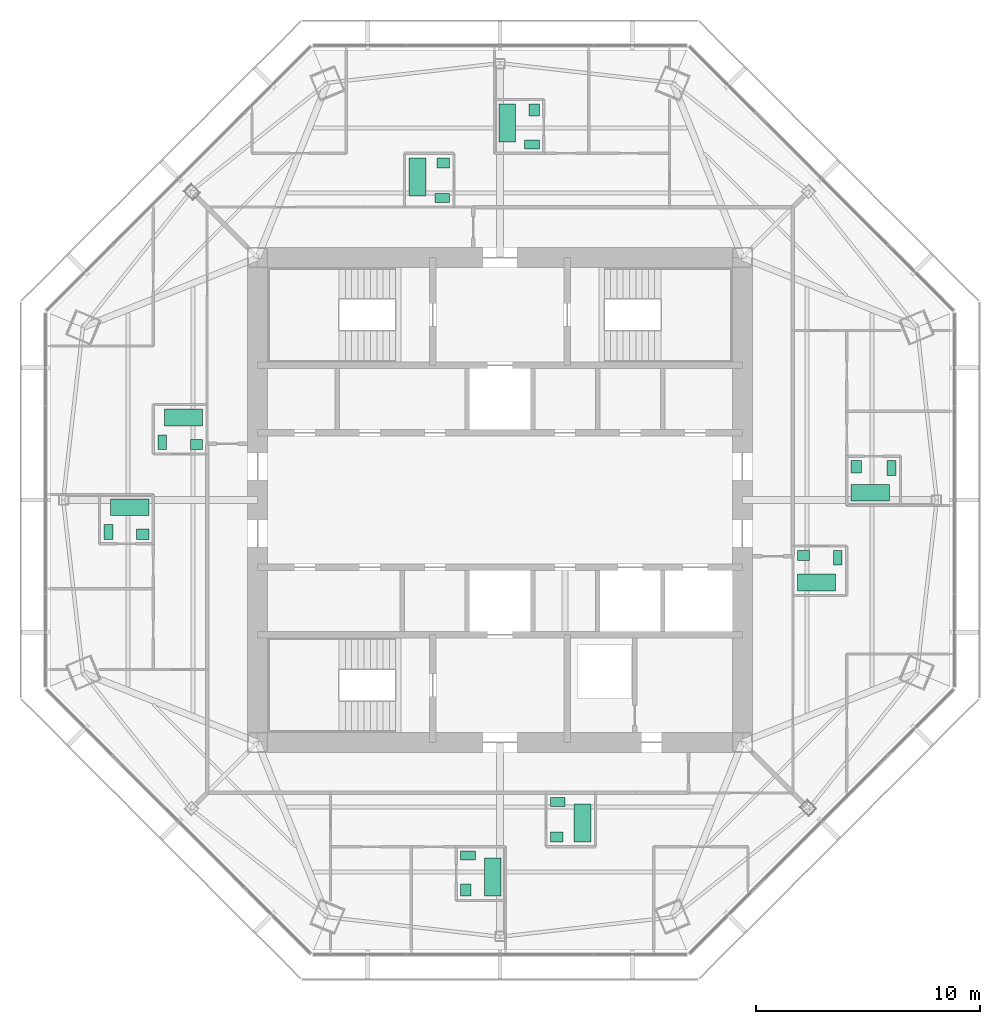
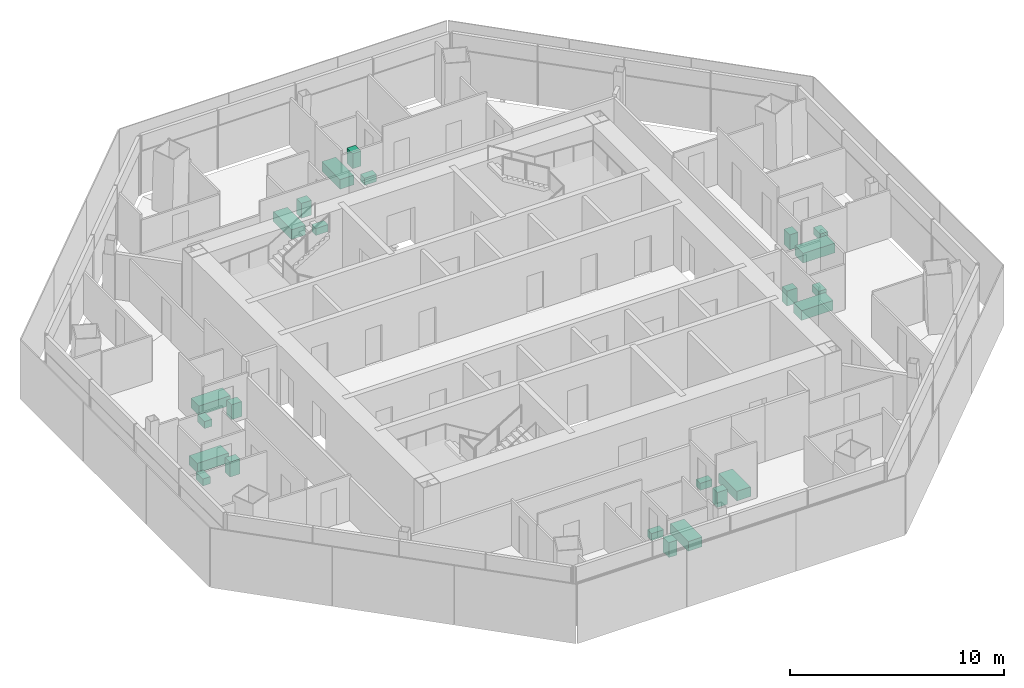
# One storey, part 15 of 15: 24 sanitary terminals.
"""IFC4 building model written with IfcOpenShell, lengths in metres."""

import ifcopenshell
import ifcopenshell.guid

model = None  # the IFC model being written
_history = None  # IfcOwnerHistory: only IFC2X3 demands one
_inside = {}  # id of a spatial element -> (the spatial element, [elements in it])
_under = {}  # id of a project, library or spatial element -> (it, [spatial elements below it])
_declared = {}  # id of a project -> (the project, [libraries it declares])
_typed = {}  # id of a type object -> (the type object, [elements of that type])
_made_of = {}  # id of a material, layer set ... -> (it, [elements and type objects made of it])


def new_model(schema):
    """Start an empty IFC model of exactly this schema.

    Asked for "IFC4X3", IfcOpenShell would pick the latest addendum, in which some entities
    have other attributes; the version numbers below select the first issue.
    IFC2X3 requires an IfcOwnerHistory on every rooted entity: one is made here for all.
    """
    global model, _history
    if schema == "IFC4X3":
        model = ifcopenshell.file(schema_version=(4, 3, 0, 0))
    else:
        model = ifcopenshell.file(schema=schema)
    _inside.clear()
    _under.clear()
    _declared.clear()
    _typed.clear()
    _made_of.clear()
    _history = None
    if model.schema == "IFC2X3":
        org = make("IfcOrganization", Name="unknown")
        user = make(
            "IfcPersonAndOrganization",
            ThePerson=make("IfcPerson", FamilyName="unknown"),
            TheOrganization=org,
        )
        app = make(
            "IfcApplication",
            ApplicationDeveloper=org,
            Version="unknown",
            ApplicationFullName="unknown",
            ApplicationIdentifier="unknown",
        )
        _history = make(
            "IfcOwnerHistory",
            OwningUser=user,
            OwningApplication=app,
            ChangeAction="ADDED",
            CreationDate=0,
        )
    return model


def make(cls, **values):
    """One entity of the class cls with the attributes given. An attribute that is None is left unset."""
    return model.create_entity(
        cls, **{name: value for name, value in values.items() if value is not None}
    )


def rooted(cls, **values):
    """An entity with a GlobalId (a new one), such as an element, a storey or a relation."""
    return make(cls, GlobalId=ifcopenshell.guid.new(), OwnerHistory=_history, **values)


def si_unit(unit_type, name, prefix=None):
    """IfcSIUnit, for example si_unit("LENGTHUNIT", "METRE", prefix="MILLI")."""
    return make("IfcSIUnit", UnitType=unit_type, Prefix=prefix, Name=name)


def assignment(units):
    """IfcUnitAssignment: the units of a project."""
    return None if units is None else make("IfcUnitAssignment", Units=units)


def point(xyz):
    """IfcCartesianPoint."""
    return None if xyz is None else make("IfcCartesianPoint", Coordinates=xyz)


def direction(xyz):
    """IfcDirection."""
    return None if xyz is None else make("IfcDirection", DirectionRatios=xyz)


def frame(location, z_axis=None, x_axis=None):
    """IfcAxis2Placement3D, a coordinate frame: its origin and axes. An axis left out is left unset."""
    return make(
        "IfcAxis2Placement3D",
        Location=point(location),
        Axis=direction(z_axis),
        RefDirection=direction(x_axis),
    )


def frame_2d(location, x_axis=None):
    """IfcAxis2Placement2D, a coordinate frame in the plane: its origin and x axis."""
    return make(
        "IfcAxis2Placement2D", Location=point(location), RefDirection=direction(x_axis)
    )


def origin():
    """The frame at (0, 0, 0) with its axes left unset."""
    return frame((0.0, 0.0, 0.0))


def origin_2d():
    """The frame at (0, 0) in the plane with its x axis left unset."""
    return frame_2d((0.0, 0.0))


def place(relative_to, where):
    """IfcLocalPlacement: puts the frame where relative to a parent placement (None: the world)."""
    return make(
        "IfcLocalPlacement", PlacementRelTo=relative_to, RelativePlacement=where
    )


def context(
    kind, dimensions, precision=None, world=None, true_north=None, identifier=None
):
    """IfcGeometricRepresentationContext, for example the 3D "Model" context."""
    return make(
        "IfcGeometricRepresentationContext",
        ContextIdentifier=identifier,
        ContextType=kind,
        CoordinateSpaceDimension=dimensions,
        Precision=precision,
        WorldCoordinateSystem=world,
        TrueNorth=true_north,
    )


def subcontext(parent, identifier, kind, view, scale=None):
    """IfcGeometricRepresentationSubContext, for example "Body" below "Model"."""
    return make(
        "IfcGeometricRepresentationSubContext",
        ContextIdentifier=identifier,
        ContextType=kind,
        ParentContext=parent,
        TargetScale=scale,
        TargetView=view,
    )


def project(units=None, contexts=None):
    """IfcProject with its units and contexts."""
    return rooted(
        "IfcProject",
        Name="project",
        RepresentationContexts=contexts,
        UnitsInContext=assignment(units),
    )


def spatial(cls, under=None, at=None, **own):
    """A site, building, storey or space (cls), placed at a placement, below another one or the project."""
    s = rooted(cls, ObjectPlacement=at, **own)
    if under is not None:
        _under.setdefault(under.id(), (under, []))[1].append(s)
    return s


def profile(cls, at=None, kind="AREA", **sizes):
    """A parametric profile (cls). Its sizes go by their IFC names, for example OverallWidth=200.0."""
    return make(cls, ProfileType=kind, Position=at, **sizes)


def rectangle(**sizes):
    """IfcRectangleProfileDef."""
    return profile("IfcRectangleProfileDef", **sizes)


def extrude(swept, where, along, depth):
    """IfcExtrudedAreaSolid: the profile swept, set in the frame where, extruded along a direction by depth."""
    return make(
        "IfcExtrudedAreaSolid",
        SweptArea=swept,
        Position=where,
        ExtrudedDirection=direction(along),
        Depth=depth,
    )


def shape(context_of_items, identifier, shape_type, items):
    """IfcShapeRepresentation: the items that make up one representation, for example the "Body"."""
    return make(
        "IfcShapeRepresentation",
        ContextOfItems=context_of_items,
        RepresentationIdentifier=identifier,
        RepresentationType=shape_type,
        Items=items,
    )


def material(Name=None, Category=None):
    """IfcMaterial."""
    return make("IfcMaterial", Name=Name, Category=Category)


def made_of(thing, what):
    """Note that an element or type object is made of a material, layer set ...; save() writes the relation."""
    if what is not None:
        _made_of.setdefault(what.id(), (what, []))[1].append(thing)
    return thing


def type_object(cls, material=None, **own):
    """A type object (cls), such as IfcWallType, which elements share."""
    return made_of(rooted(cls, **own), material)


def element(
    cls,
    number,
    at=None,
    inside=None,
    cuts=None,
    type_object=None,
    material=None,
    context=None,
    identifier="Body",
    shape_type=None,
    held_by="IfcProductDefinitionShape",
    body=None,
    shapes=None,
    **own,
):
    """One element of the class cls, such as IfcWall. Its Tag is "e" and its number.

    at: its placement. inside: the storey or other place that contains it. cuts: it is an
    opening in that element (IfcRelVoidsElement). A single representation is given by context,
    identifier, shape_type and body (its items); several are given by shapes. held_by: the class
    of the entity that holds the representations. save() writes the other relations.
    """
    e = rooted(cls, Tag="e%d" % number, ObjectPlacement=at, **own)
    if body is not None:
        shapes = [shape(context, identifier, shape_type, body)]
    if shapes is not None:
        e.Representation = make(held_by, Representations=shapes)
    if inside is not None:
        _inside.setdefault(inside.id(), (inside, []))[1].append(e)
    if cuts is not None:
        rooted(
            "IfcRelVoidsElement", RelatingBuildingElement=cuts, RelatedOpeningElement=e
        )
    if type_object is not None:
        _typed.setdefault(type_object.id(), (type_object, []))[1].append(e)
    return made_of(e, material)


def aggregate(whole, parts):
    """IfcRelAggregates: a whole, such as a stair, and the parts it consists of."""
    return rooted("IfcRelAggregates", RelatingObject=whole, RelatedObjects=parts)


def save(model, path):
    """Write the relations noted so far, then the file.

    IfcRelAggregates (storeys below a building ...), IfcRelContainedInSpatialStructure (elements
    in a storey), IfcRelDefinesByType, IfcRelAssociatesMaterial and IfcRelDeclares: one each for
    every whole, place, type object, material and project.
    """
    for whole, parts in _under.values():
        aggregate(whole, parts)
    for where, things in _inside.values():
        rooted(
            "IfcRelContainedInSpatialStructure",
            RelatedElements=things,
            RelatingStructure=where,
        )
    for kind, things in _typed.values():
        rooted("IfcRelDefinesByType", RelatedObjects=things, RelatingType=kind)
    for what, things in _made_of.values():
        rooted("IfcRelAssociatesMaterial", RelatedObjects=things, RelatingMaterial=what)
    for by, libraries in _declared.values():
        rooted("IfcRelDeclares", RelatingContext=by, RelatedDefinitions=libraries)
    model.write(path)


model = new_model("IFC4")

# Units and contexts
model_context = context("Model", 3, precision=1e-05, world=origin(), true_north=direction((0.0, 1.0)))
body_context = subcontext(model_context, "Body", "Model", "MODEL_VIEW")
ifc_project = project(units=[si_unit("LENGTHUNIT", "METRE"), si_unit("AREAUNIT", "SQUARE_METRE"), si_unit("VOLUMEUNIT", "CUBIC_METRE"), si_unit("PLANEANGLEUNIT", "RADIAN"), si_unit("MASSUNIT", "GRAM", prefix="KILO")], contexts=[model_context])

# Site, building, storey
site_placement = place(None, origin())
site = spatial("IfcSite", under=ifc_project, at=site_placement, CompositionType="ELEMENT")
building_placement = place(site_placement, origin())
building = spatial("IfcBuilding", under=site, at=building_placement, Name="Mashrafa Tower", CompositionType="ELEMENT")
storey_placement = place(building_placement, frame((0.0, 0.0, 274.199951171875)))
storey = spatial("IfcBuildingStorey", under=building, at=storey_placement, Name="L66", CompositionType="ELEMENT", Elevation=274.199951171875)

# Sanitary terminals
ifc_material_1 = material(Name="Enamelled steel", Category="steel")
sanitary_terminal_type_1 = type_object("IfcSanitaryTerminalType", Name="Bath 1700 x 750", PredefinedType="BATH", material=ifc_material_1)
for number, where, z_axis, x_axis, name in (
    (1, (14.10009765625, -3.675048828125, 0.0), (0.0, 0.0, 1.0), (1.0, 0.0, 0.0), "Bath Apartment 6601 Bathroom"),
    (2, (16.5, 0.324951171875, 0.0), (0.0, 0.0, 1.0), (1.0, 0.0, 0.0), "Bath Apartment 6601 En-suite Bathroom"),
    (3, (-3.675048828125, 14.39990234375, 0.0), (0.0, 0.0, 1.0), (0.0, -1.0, 0.0), "Bath Apartment 6602 Bathroom"),
    (4, (0.324951171875, 16.800048828125, 0.0), (0.0, 0.0, 1.0), (0.0, -1.0, 0.0), "Bath Apartment 6602 En-suite Bathroom"),
    (5, (-14.10009765625, 3.675048828125, 0.0), (0.0, 0.0, 1.0), (-1.0, 0.0, 0.0), "Bath Apartment 6603 Bathroom"),
    (6, (-16.5, -0.324951171875, 0.0), (0.0, 0.0, 1.0), (-1.0, 0.0, 0.0), "Bath Apartment 6603 En-suite Bathroom"),
    (7, (3.675048828125, -14.39990234375, 0.0), (0.0, 0.0, 1.0), (0.0, 1.0, 0.0), "Bath Apartment 6604 Bathroom"),
    (8, (-0.324951171875, -16.800048828125, 0.0), (0.0, 0.0, 1.0), (0.0, 1.0, 0.0), "Bath Apartment 6604 En-suite Bathroom"),
):
    element("IfcSanitaryTerminal", number, at=place(storey_placement, frame(where, z_axis=z_axis, x_axis=x_axis)), inside=storey, type_object=sanitary_terminal_type_1, Name=name, PredefinedType="BATH", context=body_context, shape_type="SweptSolid", body=[
        extrude(rectangle(XDim=1.699951171875, YDim=0.75, at=origin_2d()), origin(), (0.0, 0.0, 1.0), 0.550048828125),
    ])
ifc_material_2 = material(Name="Vitreous china")
sanitary_terminal_type_2 = type_object("IfcSanitaryTerminalType", Name="Toilet pan 400 x 650", PredefinedType="TOILETPAN", material=ifc_material_2)
for number, where, z_axis, x_axis, name in (
    (9, (15.050048828125, -2.574951171875, 0.0), (0.0, 0.0, 1.0), (-1.0, 0.0, 0.0), "Toilet pan Apartment 6601 Bathroom"),
    (10, (17.449951171875, 1.425048828125, 0.0), (0.0, 0.0, 1.0), (-1.0, 0.0, 0.0), "Toilet pan Apartment 6601 En-suite Bathroom"),
    (11, (-2.574951171875, 13.449951171875, 0.0), (0.0, 0.0, 1.0), (0.0, 1.0, 0.0), "Toilet pan Apartment 6602 Bathroom"),
    (12, (1.425048828125, 15.85009765625, 0.0), (0.0, 0.0, 1.0), (0.0, 1.0, 0.0), "Toilet pan Apartment 6602 En-suite Bathroom"),
    (13, (-15.050048828125, 2.574951171875, 0.0), (0.0, 0.0, 1.0), (1.0, 0.0, 0.0), "Toilet pan Apartment 6603 Bathroom"),
    (14, (-17.449951171875, -1.425048828125, 0.0), (0.0, 0.0, 1.0), (1.0, 0.0, 0.0), "Toilet pan Apartment 6603 En-suite Bathroom"),
    (15, (2.574951171875, -13.449951171875, 0.0), (0.0, 0.0, 1.0), (0.0, -1.0, 0.0), "Toilet pan Apartment 6604 Bathroom"),
    (16, (-1.425048828125, -15.85009765625, 0.0), (0.0, 0.0, 1.0), (0.0, -1.0, 0.0), "Toilet pan Apartment 6604 En-suite Bathroom"),
):
    element("IfcSanitaryTerminal", number, at=place(storey_placement, frame(where, z_axis=z_axis, x_axis=x_axis)), inside=storey, type_object=sanitary_terminal_type_2, Name=name, PredefinedType="TOILETPAN", context=body_context, shape_type="SweptSolid", body=[
        extrude(rectangle(XDim=0.39990234375, YDim=0.64990234375, at=origin_2d()), origin(), (0.0, 0.0, 1.0), 0.39990234375),
    ])
ifc_material_3 = material(Name="Vitreous china")
sanitary_terminal_type_3 = type_object("IfcSanitaryTerminalType", Name="Wash basin 550 x 450", PredefinedType="WASHHANDBASIN", material=ifc_material_3)
for number, where, z_axis, x_axis, name in (
    (17, (13.52490234375, -2.47509765625, 0.0), (0.0, 0.0, 1.0), (-1.0, 0.0, 0.0), "Wash basin Apartment 6601 Bathroom"),
    (18, (15.875, 1.47509765625, 0.0), (0.0, 0.0, 1.0), (0.0, -1.0, 0.0), "Wash basin Apartment 6601 En-suite Bathroom"),
    (19, (-2.52490234375, 15.02490234375, 0.0), (0.0, 0.0, 1.0), (-1.0, 0.0, 0.0), "Wash basin Apartment 6602 Bathroom"),
    (20, (1.52490234375, 17.375, 0.0), (0.0, 0.0, 1.0), (0.0, 1.0, 0.0), "Wash basin Apartment 6602 En-suite Bathroom"),
    (21, (-13.52490234375, 2.47509765625, 0.0), (0.0, 0.0, 1.0), (1.0, 0.0, 0.0), "Wash basin Apartment 6603 Bathroom"),
    (22, (-15.925048828125, -1.52490234375, 0.0), (0.0, 0.0, 1.0), (1.0, 0.0, 0.0), "Wash basin Apartment 6603 En-suite Bathroom"),
    (23, (2.52490234375, -15.02490234375, 0.0), (0.0, 0.0, 1.0), (1.0, 0.0, 0.0), "Wash basin Apartment 6604 Bathroom"),
    (24, (-1.52490234375, -17.375, 0.0), (0.0, 0.0, 1.0), (0.0, -1.0, 0.0), "Wash basin Apartment 6604 En-suite Bathroom"),
):
    element("IfcSanitaryTerminal", number, at=place(storey_placement, frame(where, z_axis=z_axis, x_axis=x_axis)), inside=storey, type_object=sanitary_terminal_type_3, Name=name, PredefinedType="WASHHANDBASIN", context=body_context, shape_type="SweptSolid", body=[
        extrude(rectangle(XDim=0.550048828125, YDim=0.449951171875, at=origin_2d()), origin(), (0.0, 0.0, 1.0), 0.85009765625),
    ])

save(model, "model.ifc")
